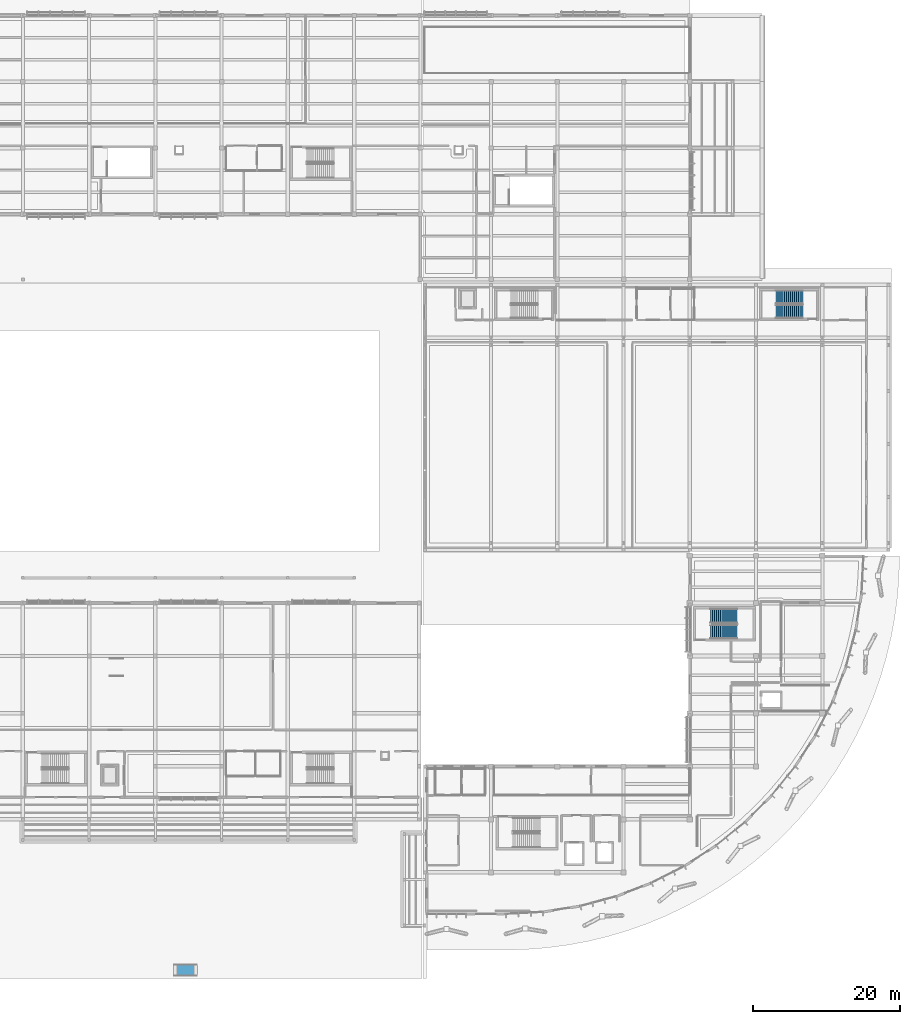
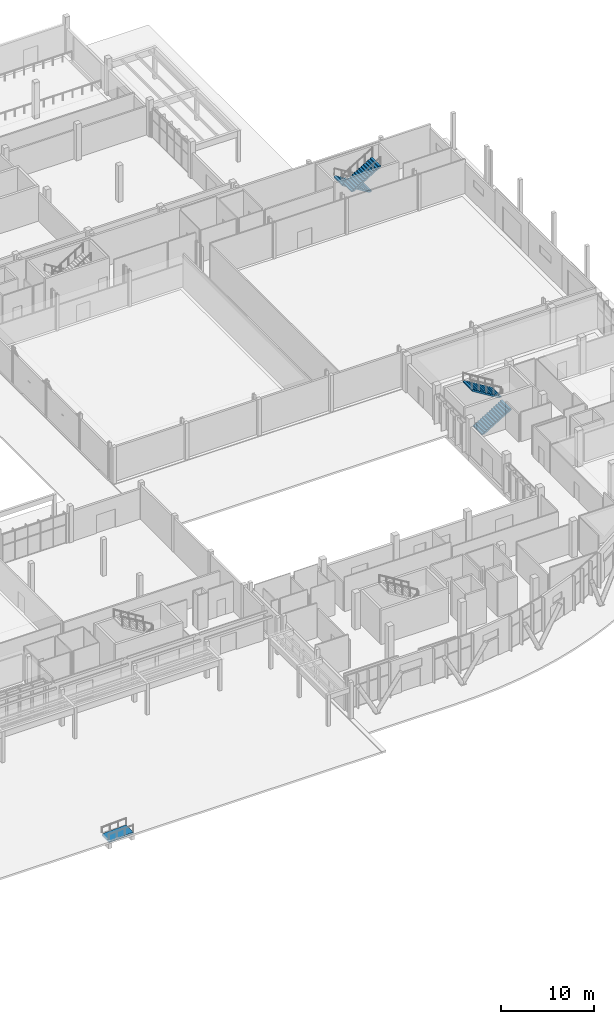
# One storey, part 133 of 151: 4 stair flights, 1 ramp flight, 3 elements without a shape of their own.
"""IFC4 building model written with IfcOpenShell, lengths in metres."""

from ifc_helpers import new_model, si_unit, direction, frame, origin, place, context, subcontext, project, spatial, polyline, outline, extrude, material, layer, layer_set, type_object, element, aggregate, save


model = new_model("IFC4")

# Units and contexts
model_context = context("Model", 3, precision=1e-05, world=origin(), true_north=direction((0.0, 1.0)))
body_context = subcontext(model_context, "Body", "Model", "MODEL_VIEW")
ifc_project = project(units=[si_unit("LENGTHUNIT", "METRE"), si_unit("AREAUNIT", "SQUARE_METRE"), si_unit("VOLUMEUNIT", "CUBIC_METRE"), si_unit("PLANEANGLEUNIT", "RADIAN"), si_unit("MASSUNIT", "GRAM", prefix="KILO")], contexts=[model_context])

# Site, building, storey
site_placement = place(None, origin())
site = spatial("IfcSite", under=ifc_project, at=site_placement, CompositionType="ELEMENT")
building_placement = place(site_placement, origin())
building = spatial("IfcBuilding", under=site, at=building_placement, Name="Chiffa Square Polytechnic", CompositionType="ELEMENT")
storey_placement = place(building_placement, origin())
storey = spatial("IfcBuildingStorey", under=building, at=storey_placement, Name="L00", CompositionType="ELEMENT", Elevation=0.0)

# Stair, stair flights
ifc_material = material(Name="Concrete C35/45", Category="concrete")
stair_type_1 = type_object("IfcStairType", Name="STAIR-SPR-1850", PredefinedType="HALF_TURN_STAIR", material=ifc_material)
stair_1_placement = place(storey_placement, origin())
stair_1 = element("IfcStair", 1, at=stair_1_placement, inside=storey, type_object=stair_type_1, Name="L00 Enclosed exit stair ST-V2B", PredefinedType="HALF_TURN_STAIR")
stair_flight_type_1 = type_object("IfcStairFlightType", Name="STFLT-1850", PredefinedType="STRAIGHT", material=ifc_material)
stair_flight_1_placement = place(storey_placement, frame((163.550048828125, 92.52490234375, 0.0), z_axis=(0.0, 0.0, 1.0), x_axis=(-1.0, 0.0, 0.0)))
stair_flight_1 = element("IfcStairFlight", 2, at=stair_flight_1_placement, type_object=stair_flight_type_1, Name="ST-V2B flight 1", NumberOfRisers=14, NumberOfTreads=13, PredefinedType="STRAIGHT", RiserHeight=0.171428571, TreadLength=0.28, context=body_context, shape_type="SweptSolid", body=[
    extrude(outline(polyline([(0.0, 0.0), (0.0, 0.17138671875), (0.280029296875, 0.17138671875), (0.280029296875, 0.3427734375), (0.56005859375, 0.3427734375), (0.56005859375, 0.514404296875), (0.840087890625, 0.514404296875), (0.840087890625, 0.685791015625), (1.1201171875, 0.685791015625), (1.1201171875, 0.857177734375), (1.39990234375, 0.857177734375), (1.39990234375, 1.028564453125), (1.679931640625, 1.028564453125), (1.679931640625, 1.199951171875), (1.9599609375, 1.199951171875), (1.9599609375, 1.371337890625), (2.239990234375, 1.371337890625), (2.239990234375, 1.54296875), (2.52001953125, 1.54296875), (2.52001953125, 1.71435546875), (2.800048828125, 1.71435546875), (2.800048828125, 1.8857421875), (3.080078125, 1.8857421875), (3.080078125, 2.05712890625), (3.360107421875, 2.05712890625), (3.360107421875, 2.228515625), (3.639892578125, 2.228515625), (3.639892578125, 2.39990234375), (3.639892578125, 2.041015625), (0.30615234375, 0.0), (0.0, 0.0)])), frame((0.0, 0.925048828125, 0.0), z_axis=(0.0, -1.0, 0.0), x_axis=(1.0, 0.0, 0.0)), (0.0, 0.0, 1.0), 1.85009765625),
])
stair_flight_2_placement = place(storey_placement, frame((159.909912109375, 90.574951171875, 2.39990234375), z_axis=(0.0, 0.0, 1.0), x_axis=(1.0, 0.0, 0.0)))
stair_flight_2 = element("IfcStairFlight", 3, at=stair_flight_2_placement, type_object=stair_flight_type_1, Name="ST-V2B flight 2", NumberOfRisers=14, NumberOfTreads=13, PredefinedType="STRAIGHT", RiserHeight=0.171428571, TreadLength=0.28, context=body_context, shape_type="SweptSolid", body=[
    extrude(outline(polyline([(0.0, 0.0), (0.0, 0.17138671875), (0.280029296875, 0.17138671875), (0.280029296875, 0.3427734375), (0.56005859375, 0.3427734375), (0.56005859375, 0.514404296875), (0.840087890625, 0.514404296875), (0.840087890625, 0.685791015625), (1.1201171875, 0.685791015625), (1.1201171875, 0.857177734375), (1.39990234375, 0.857177734375), (1.39990234375, 1.028564453125), (1.679931640625, 1.028564453125), (1.679931640625, 1.199951171875), (1.9599609375, 1.199951171875), (1.9599609375, 1.371337890625), (2.239990234375, 1.371337890625), (2.239990234375, 1.54296875), (2.52001953125, 1.54296875), (2.52001953125, 1.71435546875), (2.800048828125, 1.71435546875), (2.800048828125, 1.8857421875), (3.080078125, 1.8857421875), (3.080078125, 2.05712890625), (3.360107421875, 2.05712890625), (3.360107421875, 2.228515625), (3.639892578125, 2.228515625), (3.639892578125, 2.39990234375), (3.639892578125, 2.041015625), (0.30615234375, 0.0), (0.0, 0.0)])), frame((0.0, 0.925048828125, 0.0), z_axis=(0.0, -1.0, 0.0), x_axis=(1.0, 0.0, 0.0)), (0.0, 0.0, 1.0), 1.85009765625),
])
aggregate(stair_1, [stair_flight_1, stair_flight_2])

stair_type_2 = type_object("IfcStairType", Name="STAIR-DOG-1950", PredefinedType="HALF_TURN_STAIR", material=ifc_material)
stair_2_placement = place(storey_placement, origin())
stair_2 = element("IfcStair", 4, at=stair_2_placement, inside=storey, type_object=stair_type_2, Name="L00 Enclosed exit stair ST-V1B", PredefinedType="HALF_TURN_STAIR")
stair_flight_type_2 = type_object("IfcStairFlightType", Name="STFLT-1950", PredefinedType="STRAIGHT", material=ifc_material)
stair_flight_3_placement = place(storey_placement, frame((151.0, 47.074951171875, 0.0), z_axis=(0.0, 0.0, 1.0), x_axis=(1.0, 0.0, 0.0)))
stair_flight_3 = element("IfcStairFlight", 5, at=stair_flight_3_placement, type_object=stair_flight_type_2, Name="ST-V1B flight 1", NumberOfRisers=14, NumberOfTreads=13, PredefinedType="STRAIGHT", RiserHeight=0.171428571, TreadLength=0.28, context=body_context, shape_type="SweptSolid", body=[
    extrude(outline(polyline([(0.0, 0.0), (0.0, 0.17138671875), (0.280029296875, 0.17138671875), (0.280029296875, 0.3427734375), (0.56005859375, 0.3427734375), (0.56005859375, 0.514404296875), (0.840087890625, 0.514404296875), (0.840087890625, 0.685791015625), (1.1201171875, 0.685791015625), (1.1201171875, 0.857177734375), (1.39990234375, 0.857177734375), (1.39990234375, 1.028564453125), (1.679931640625, 1.028564453125), (1.679931640625, 1.199951171875), (1.9599609375, 1.199951171875), (1.9599609375, 1.371337890625), (2.239990234375, 1.371337890625), (2.239990234375, 1.54296875), (2.52001953125, 1.54296875), (2.52001953125, 1.71435546875), (2.800048828125, 1.71435546875), (2.800048828125, 1.8857421875), (3.080078125, 1.8857421875), (3.080078125, 2.05712890625), (3.360107421875, 2.05712890625), (3.360107421875, 2.228515625), (3.639892578125, 2.228515625), (3.639892578125, 2.39990234375), (3.639892578125, 2.041015625), (0.30615234375, 0.0), (0.0, 0.0)])), frame((0.0, 0.97509765625, 0.0), z_axis=(0.0, -1.0, 0.0), x_axis=(1.0, 0.0, 0.0)), (0.0, 0.0, 1.0), 1.949951171875),
])
stair_flight_4_placement = place(storey_placement, frame((154.639892578125, 49.22509765625, 2.39990234375), z_axis=(0.0, 0.0, 1.0), x_axis=(-1.0, 0.0, 0.0)))
stair_flight_4 = element("IfcStairFlight", 6, at=stair_flight_4_placement, type_object=stair_flight_type_2, Name="ST-V1B flight 2", NumberOfRisers=14, NumberOfTreads=13, PredefinedType="STRAIGHT", RiserHeight=0.171428571, TreadLength=0.28, context=body_context, shape_type="SweptSolid", body=[
    extrude(outline(polyline([(0.0, 0.0), (0.0, 0.17138671875), (0.280029296875, 0.17138671875), (0.280029296875, 0.3427734375), (0.56005859375, 0.3427734375), (0.56005859375, 0.514404296875), (0.840087890625, 0.514404296875), (0.840087890625, 0.685791015625), (1.1201171875, 0.685791015625), (1.1201171875, 0.857177734375), (1.39990234375, 0.857177734375), (1.39990234375, 1.028564453125), (1.679931640625, 1.028564453125), (1.679931640625, 1.199951171875), (1.9599609375, 1.199951171875), (1.9599609375, 1.371337890625), (2.239990234375, 1.371337890625), (2.239990234375, 1.54296875), (2.52001953125, 1.54296875), (2.52001953125, 1.71435546875), (2.800048828125, 1.71435546875), (2.800048828125, 1.8857421875), (3.080078125, 1.8857421875), (3.080078125, 2.05712890625), (3.360107421875, 2.05712890625), (3.360107421875, 2.228515625), (3.639892578125, 2.228515625), (3.639892578125, 2.39990234375), (3.639892578125, 2.041015625), (0.30615234375, 0.0), (0.0, 0.0)])), frame((0.0, 0.97509765625, 0.0), z_axis=(0.0, -1.0, 0.0), x_axis=(1.0, 0.0, 0.0)), (0.0, 0.0, 1.0), 1.949951171875),
])
aggregate(stair_2, [stair_flight_3, stair_flight_4])

# Ramp, ramp flight
ramp_type = type_object("IfcRampType", Name="RAMP-PED-1600", PredefinedType="STRAIGHT_RUN_RAMP", material=ifc_material)
ramp_placement = place(storey_placement, origin())
ramp = element("IfcRamp", 7, at=ramp_placement, inside=storey, type_object=ramp_type, Name="Accessible pedestrian entrance ramp RAMP-PED-L00", PredefinedType="STRAIGHT_RUN_RAMP")
ifc_layer = layer(ifc_material, 0.199951171875, Name="Concrete C35/45")
ifc_layer_set = layer_set([ifc_layer], Name="Concrete C35/45")
ramp_flight_type = type_object("IfcRampFlightType", Name="RAMPFL-PED-1600", PredefinedType="STRAIGHT", material=ifc_layer_set)
ramp_flight_placement = place(storey_placement, frame((78.199951171875, 1.10009765625, -0.14990234375), z_axis=(0.0, 0.0, 1.0), x_axis=(1.0, 0.0, 0.0)))
ramp_flight = element("IfcRampFlight", 8, at=ramp_flight_placement, type_object=ramp_flight_type, Name="Accessible pedestrian entrance ramp flight RAMP-PED-L00-FL1", PredefinedType="STRAIGHT", context=body_context, shape_type="SweptSolid", body=[
    extrude(outline(polyline([(0.0, 0.0), (3.0, 0.14990234375), (3.0, -0.050048828125), (0.0, -0.199951171875), (0.0, 0.0)])), frame((0.0, 0.800048828125, 0.0), z_axis=(0.0, -1.0, 0.0), x_axis=(1.0, 0.0, 0.0)), (0.0, 0.0, 1.0), 1.60009765625),
])
aggregate(ramp, [ramp_flight])

save(model, "model.ifc")
